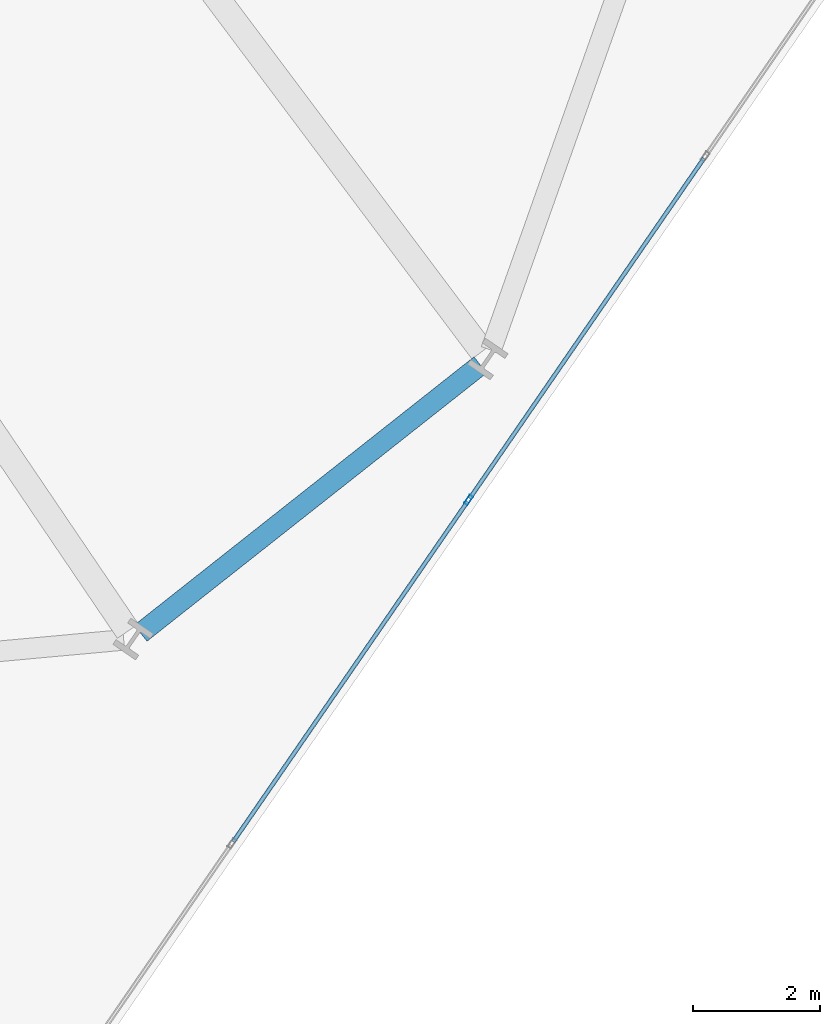
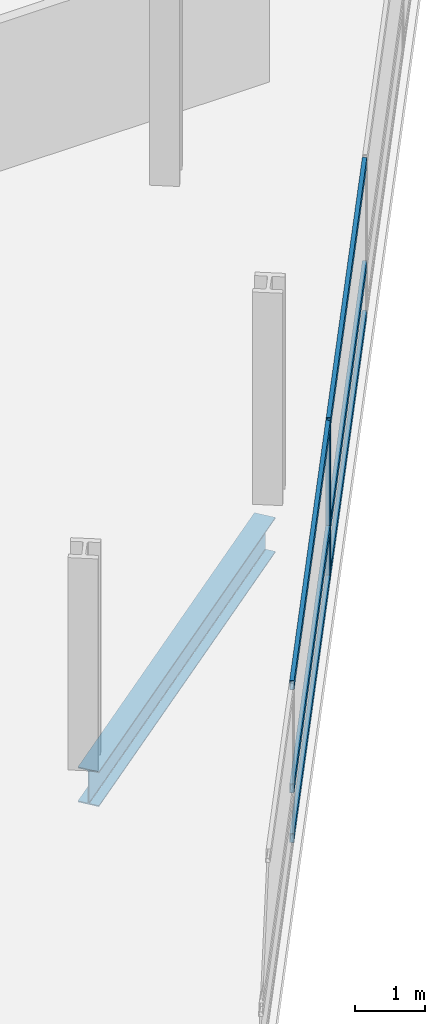
# One storey, part 9 of 27: 7 members, 1 beam, 1 element without a shape of its own.
"""IFC4 building model written with IfcOpenShell, lengths in metres."""

from ifc_helpers import new_model, si_unit, direction, frame, origin, origin_2d, place, context, subcontext, project, spatial, hollow_rectangle, i_section, extrude, material, layer, layer_set, material_profile, profile_set, type_object, element, aggregate, save


model = new_model("IFC4")

# Units and contexts
model_context = context("Model", 3, precision=1e-05, world=origin(), true_north=direction((0.0, 1.0)))
body_context = subcontext(model_context, "Body", "Model", "MODEL_VIEW")
ifc_project = project(units=[si_unit("LENGTHUNIT", "METRE"), si_unit("AREAUNIT", "SQUARE_METRE"), si_unit("VOLUMEUNIT", "CUBIC_METRE"), si_unit("PLANEANGLEUNIT", "RADIAN"), si_unit("MASSUNIT", "GRAM", prefix="KILO")], contexts=[model_context])

# Site, building, storey
site_placement = place(None, origin())
site = spatial("IfcSite", under=ifc_project, at=site_placement, CompositionType="ELEMENT")
building_placement = place(site_placement, origin())
building = spatial("IfcBuilding", under=site, at=building_placement, Name="Varnelok Gate Tower", CompositionType="ELEMENT")
storey_placement = place(building_placement, frame((0.0, 0.0, 60.300048828125)))
storey = spatial("IfcBuildingStorey", under=building, at=storey_placement, Name="L14", CompositionType="ELEMENT", Elevation=60.300048828125)

# Beam
ifc_material_1 = material(Name="Structural Steel ASTM A992 Grade 50", Category="steel")
ifc_material_profile_1 = material_profile(ifc_material_1, i_section(OverallWidth=0.323974609375, OverallDepth=0.611083984375, WebThickness=0.0126953125, FlangeThickness=0.01904296875, FilletRadius=0.01806640625, at=origin_2d()), Name="W24X104")
ifc_profile_set_1 = profile_set([ifc_material_profile_1], Name="Structural Steel ASTM A992 Grade 50")
beam_type = type_object("IfcBeamType", Name="BM-SPN-W24X104", PredefinedType="SPANDREL", material=ifc_profile_set_1)
beam_placement = place(storey_placement, frame((66.202392578125, 1.045654296875, -0.5556640625), z_axis=(0.784860761341, 0.619672159538, 0.0), x_axis=(-0.619672159538, 0.784860761341, 0.0)))
element("IfcBeam", 1, at=beam_placement, inside=storey, type_object=beam_type, Name="L14 Perimeter Spandrel Beam 6", PredefinedType="SPANDREL", context=body_context, shape_type="SweptSolid", body=[
    extrude(i_section(OverallWidth=0.323974609375, OverallDepth=0.611083984375, WebThickness=0.0126953125, FlangeThickness=0.01904296875, FilletRadius=0.01806640625, at=origin_2d()), origin(), (0.0, 0.0, 1.0), 6.81640625),
])

# Curtain wall, members
ifc_material_2 = material(Name="Anodized Aluminum Alloy 6063-T6", Category="aluminium")
ifc_layer = layer(ifc_material_2, 0.179931640625)
ifc_layer_set = layer_set([ifc_layer], Name="Anodized Aluminum Alloy 6063-T6")
curtain_wall_type = type_object("IfcCurtainWallType", Name="CW3-HOTEL-VISION", PredefinedType="USERDEFINED", material=ifc_layer_set)
curtain_wall_placement = place(storey_placement, origin())
curtain_wall = element("IfcCurtainWall", 2, at=curtain_wall_placement, inside=storey, type_object=curtain_wall_type, Name="L14 East End Vision Curtain Wall", ObjectType="UNITISED CURTAIN WALL", PredefinedType="USERDEFINED")
ifc_material_profile_2 = material_profile(ifc_material_2, hollow_rectangle(XDim=0.06494140625, YDim=0.159912109375, WallThickness=0.00390625, at=origin_2d()), Name="ALU160X65X4")
ifc_profile_set_2 = profile_set([ifc_material_profile_2], Name="Anodized Aluminum Alloy 6063-T6")
member_type_1 = type_object("IfcMemberType", Name="CW-MULL-160", PredefinedType="MULLION", material=ifc_profile_set_2)
member_1_placement = place(storey_placement, frame((71.3671875, 3.142578125, 0.0), z_axis=(0.0, 0.0, 1.0), x_axis=(0.823532685111, -0.567268822124, 0.0)))
member_1 = element("IfcMember", 3, at=member_1_placement, type_object=member_type_1, Name="CW3 mullion 4", PredefinedType="MULLION", context=body_context, shape_type="SweptSolid", body=[
    extrude(hollow_rectangle(XDim=0.06494140625, YDim=0.159912109375, WallThickness=0.00390625, at=origin_2d()), origin(), (0.0, 0.0, 1.0), 2.72998046875),
])
ifc_material_profile_3 = material_profile(ifc_material_2, hollow_rectangle(XDim=0.06494140625, YDim=0.159912109375, WallThickness=0.00390625, at=origin_2d()), Name="ALU160X65X4")
ifc_profile_set_3 = profile_set([ifc_material_profile_3], Name="Anodized Aluminum Alloy 6063-T6")
member_type_2 = type_object("IfcMemberType", Name="CW-TRAN-160", PredefinedType="USERDEFINED", material=ifc_profile_set_3)
member_2_placement = place(storey_placement, frame((75.07373046875, 8.523681640625, 0.032470703125), z_axis=(-0.56723619486, -0.82355515859, 0.0), x_axis=(0.82355515859, -0.56723619486, 0.0)))
member_2 = element("IfcMember", 4, at=member_2_placement, type_object=member_type_2, Name="CW3 transom 3.1", ObjectType="TRANSOM", PredefinedType="USERDEFINED", context=body_context, shape_type="SweptSolid", body=[
    extrude(hollow_rectangle(XDim=0.06494140625, YDim=0.159912109375, WallThickness=0.00390625, at=origin_2d()), origin(), (0.0, 0.0, 1.0), 6.501708984375),
])
member_3_placement = place(storey_placement, frame((75.07373046875, 8.523681640625, 0.89990234375), z_axis=(-0.56723619486, -0.82355515859, 0.0), x_axis=(0.82355515859, -0.56723619486, 0.0)))
member_3 = element("IfcMember", 5, at=member_3_placement, type_object=member_type_2, Name="CW3 transom 3.2", ObjectType="TRANSOM", PredefinedType="USERDEFINED", context=body_context, shape_type="SweptSolid", body=[
    extrude(hollow_rectangle(XDim=0.06494140625, YDim=0.159912109375, WallThickness=0.00390625, at=origin_2d()), origin(), (0.0, 0.0, 1.0), 6.501708984375),
])
member_4_placement = place(storey_placement, frame((75.07373046875, 8.523681640625, 2.697509765625), z_axis=(-0.56723619486, -0.82355515859, 0.0), x_axis=(0.82355515859, -0.56723619486, 0.0)))
member_4 = element("IfcMember", 6, at=member_4_placement, type_object=member_type_2, Name="CW3 transom 3.3", ObjectType="TRANSOM", PredefinedType="USERDEFINED", context=body_context, shape_type="SweptSolid", body=[
    extrude(hollow_rectangle(XDim=0.06494140625, YDim=0.159912109375, WallThickness=0.00390625, at=origin_2d()), origin(), (0.0, 0.0, 1.0), 6.501708984375),
])
member_5_placement = place(storey_placement, frame((71.348876953125, 3.11572265625, 0.032470703125), z_axis=(-0.567279204469, -0.823525533409, 0.0), x_axis=(0.823525533409, -0.567279204469, 0.0)))
member_5 = element("IfcMember", 7, at=member_5_placement, type_object=member_type_2, Name="CW3 transom 4.1", ObjectType="TRANSOM", PredefinedType="USERDEFINED", context=body_context, shape_type="SweptSolid", body=[
    extrude(hollow_rectangle(XDim=0.06494140625, YDim=0.159912109375, WallThickness=0.00390625, at=origin_2d()), origin(), (0.0, 0.0, 1.0), 6.501708984375),
])
member_6_placement = place(storey_placement, frame((71.348876953125, 3.11572265625, 0.89990234375), z_axis=(-0.567279204469, -0.823525533409, 0.0), x_axis=(0.823525533409, -0.567279204469, 0.0)))
member_6 = element("IfcMember", 8, at=member_6_placement, type_object=member_type_2, Name="CW3 transom 4.2", ObjectType="TRANSOM", PredefinedType="USERDEFINED", context=body_context, shape_type="SweptSolid", body=[
    extrude(hollow_rectangle(XDim=0.06494140625, YDim=0.159912109375, WallThickness=0.00390625, at=origin_2d()), origin(), (0.0, 0.0, 1.0), 6.501708984375),
])
member_7_placement = place(storey_placement, frame((71.348876953125, 3.11572265625, 2.697509765625), z_axis=(-0.567279204469, -0.823525533409, 0.0), x_axis=(0.823525533409, -0.567279204469, 0.0)))
member_7 = element("IfcMember", 9, at=member_7_placement, type_object=member_type_2, Name="CW3 transom 4.3", ObjectType="TRANSOM", PredefinedType="USERDEFINED", context=body_context, shape_type="SweptSolid", body=[
    extrude(hollow_rectangle(XDim=0.06494140625, YDim=0.159912109375, WallThickness=0.00390625, at=origin_2d()), origin(), (0.0, 0.0, 1.0), 6.501708984375),
])
aggregate(curtain_wall, [member_1, member_2, member_3, member_4, member_5, member_6, member_7])

save(model, "model.ifc")
